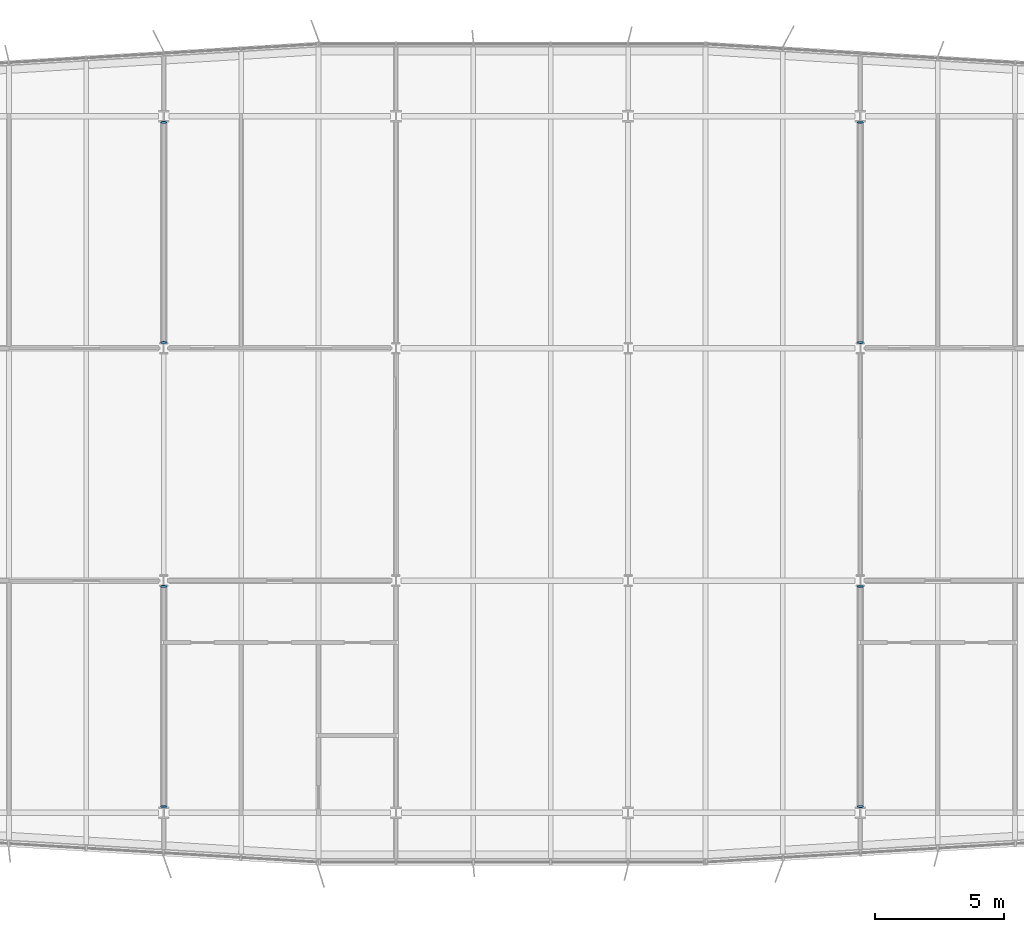
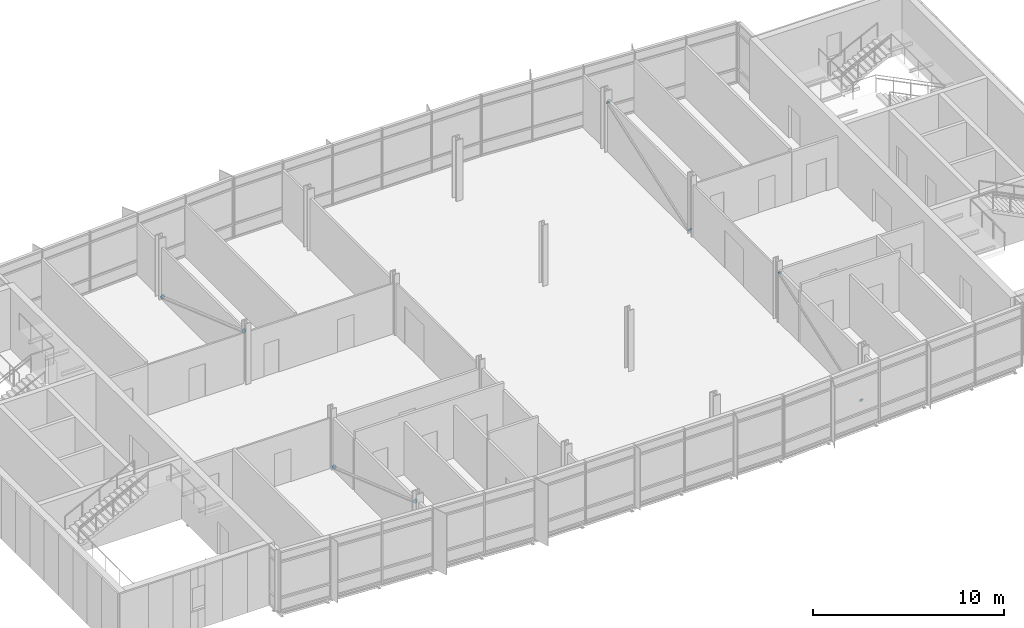
# One storey, part 17 of 20: 8 discrete accessories.
"""IFC4 building model written with IfcOpenShell, lengths in metres."""

from ifc_helpers import new_model, si_unit, direction, frame, origin, origin_2d, place, context, subcontext, project, spatial, circle, extrude, material, material_profile, profile_set, type_object, element, save


model = new_model("IFC4")

# Units and contexts
model_context = context("Model", 3, precision=1e-05, world=origin(), true_north=direction((0.0, 1.0)))
body_context = subcontext(model_context, "Body", "Model", "MODEL_VIEW")
ifc_project = project(units=[si_unit("LENGTHUNIT", "METRE"), si_unit("AREAUNIT", "SQUARE_METRE"), si_unit("VOLUMEUNIT", "CUBIC_METRE"), si_unit("PLANEANGLEUNIT", "RADIAN"), si_unit("MASSUNIT", "GRAM", prefix="KILO")], contexts=[model_context])

# Site, building, storey
site_placement = place(None, origin())
site = spatial("IfcSite", under=ifc_project, at=site_placement, CompositionType="ELEMENT")
building_placement = place(site_placement, origin())
building = spatial("IfcBuilding", under=site, at=building_placement, Name="Azimuth Sports and Learning Centre", CompositionType="ELEMENT")
storey_placement = place(building_placement, frame((0.0, 0.0, 44.10009765625)))
storey = spatial("IfcBuildingStorey", under=building, at=storey_placement, Name="L09", CompositionType="ELEMENT", Elevation=44.10009765625)

# Discrete accessories
ifc_material = material(Name="Steel S355", Category="steel")
ifc_material_profile = material_profile(ifc_material, circle(Radius=0.122314453125, at=origin_2d()), Name="PL 244 DISC")
ifc_profile_set = profile_set([ifc_material_profile], Name="Steel S355")
discrete_accessory_type = type_object("IfcDiscreteAccessoryType", Name="End plate CHS 244.5x12.5", PredefinedType="USERDEFINED", material=ifc_profile_set)
for number, where, z_axis, x_axis, name in (
    (1, (72.0, 98.763671875, 0.169189453125), (0.0, 0.943667134088, -0.330896267797), (-1.0, 0.0, 0.0), "End plate Tower brace 9 L09 lower end"),
    (2, (72.0, 90.247802734375, 3.150390625), (0.0, -0.939793423488, 0.341743063087), (1.0, 0.0, 0.0), "End plate Tower brace 9 L09 upper end"),
    (3, (72.0, 116.752197265625, 0.169189453125), (0.0, 0.943667134088, -0.330896267797), (-1.0, 0.0, 0.0), "End plate Tower brace 9 L09 lower end"),
    (4, (72.0, 108.236328125, 3.150390625), (0.0, -0.939793423488, 0.341743063087), (1.0, 0.0, 0.0), "End plate Tower brace 9 L09 upper end"),
    (5, (99.0, 90.247802734375, 0.169189453125), (0.0, -0.943667134088, -0.330896267797), (1.0, 0.0, 0.0), "End plate Tower brace 12 L09 lower end"),
    (6, (99.0, 98.763671875, 3.150390625), (0.0, 0.939793423488, 0.341743063087), (-1.0, 0.0, 0.0), "End plate Tower brace 12 L09 upper end"),
    (7, (99.0, 108.236328125, 0.169189453125), (0.0, -0.943667134088, -0.330896267797), (1.0, 0.0, 0.0), "End plate Tower brace 12 L09 lower end"),
    (8, (99.0, 116.752197265625, 3.150390625), (0.0, 0.939793423488, 0.341743063087), (-1.0, 0.0, 0.0), "End plate Tower brace 12 L09 upper end"),
):
    element("IfcDiscreteAccessory", number, at=place(storey_placement, frame(where, z_axis=z_axis, x_axis=x_axis)), inside=storey, type_object=discrete_accessory_type, Name=name, ObjectType="END PLATE", PredefinedType="USERDEFINED", context=body_context, shape_type="SweptSolid", body=[
        extrude(circle(Radius=0.122314453125, at=origin_2d()), origin(), (0.0, 0.0, 1.0), 0.02001953125),
    ])

save(model, "model.ifc")
